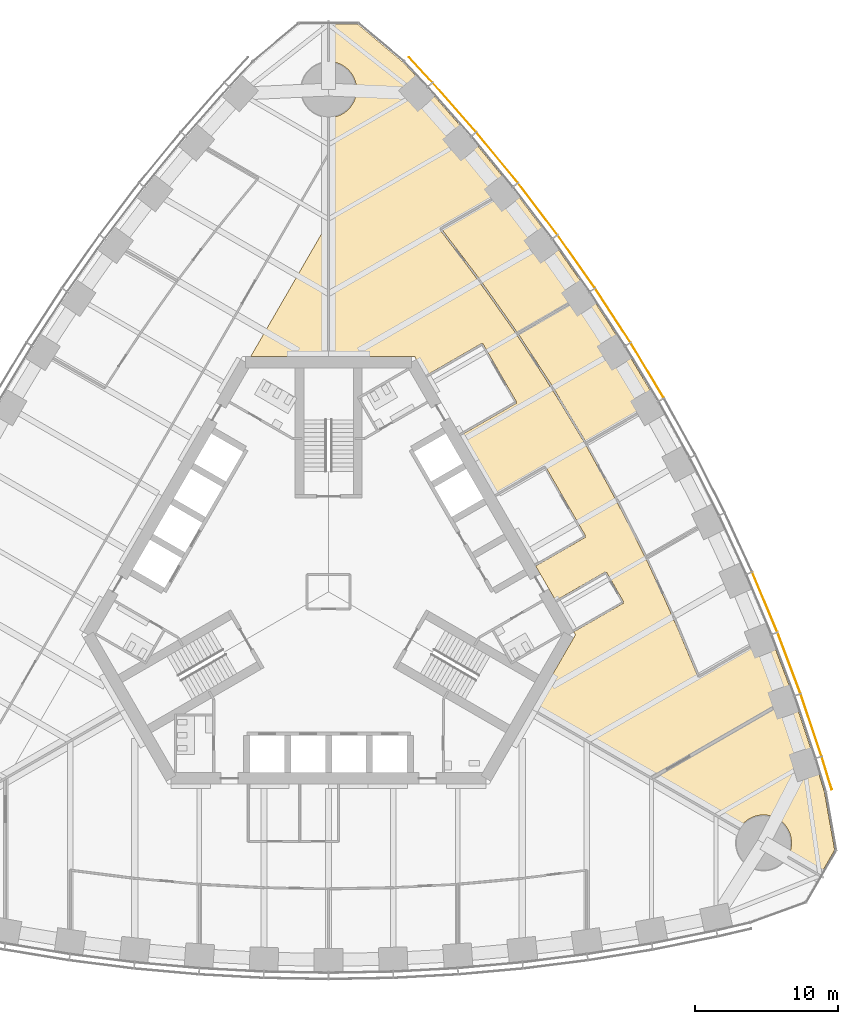
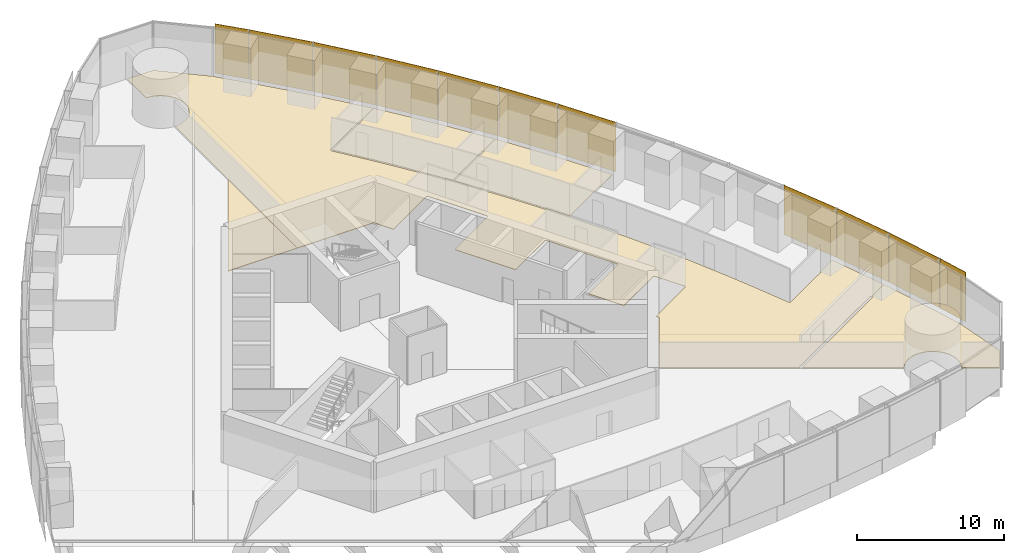
# One storey, part 16 of 18: 11 shading devices, 5 coverings.
"""IFC4 building model written with IfcOpenShell, lengths in metres."""

from ifc_helpers import new_model, si_unit, direction, frame, origin, origin_2d, place, context, subcontext, project, spatial, polyline, rectangle, outline, extrude, material, layer, layer_set, type_object, element, save


model = new_model("IFC4")

# Units and contexts
model_context = context("Model", 3, precision=1e-05, world=origin(), true_north=direction((0.0, 1.0)))
body_context = subcontext(model_context, "Body", "Model", "MODEL_VIEW")
ifc_project = project(units=[si_unit("LENGTHUNIT", "METRE"), si_unit("AREAUNIT", "SQUARE_METRE"), si_unit("VOLUMEUNIT", "CUBIC_METRE"), si_unit("PLANEANGLEUNIT", "RADIAN"), si_unit("MASSUNIT", "GRAM", prefix="KILO")], contexts=[model_context])

# Site, building, storey
site_placement = place(None, origin())
site = spatial("IfcSite", under=ifc_project, at=site_placement, CompositionType="ELEMENT")
building_placement = place(site_placement, origin())
building = spatial("IfcBuilding", under=site, at=building_placement, Name="Trefoil Bronze Tower", CompositionType="ELEMENT")
storey_placement = place(building_placement, frame((0.0, 0.0, 170.300048828125)))
storey = spatial("IfcBuildingStorey", under=building, at=storey_placement, Name="L39", CompositionType="ELEMENT", Elevation=170.300048828125)

# Shading devices
ifc_material_1 = material(Name="Perforated bronze sheet", Category="bronze")
ifc_layer_1 = layer(ifc_material_1, 0.0400390625)
ifc_layer_set_1 = layer_set([ifc_layer_1], Name="Bronze solar screen panel")
shading_device_type = type_object("IfcShadingDeviceType", Name="Bronze solar screen panel", PredefinedType="SHUTTER", material=ifc_layer_set_1)
shading_device_1_placement = place(storey_placement, frame((34.717529296875, -12.634765625, 0.0498046875), z_axis=(0.0, 0.0, 1.0), x_axis=(-0.291668676391, 0.956519410787, 0.0)))
element("IfcShadingDevice", 1, at=shading_device_1_placement, inside=storey, type_object=shading_device_type, Name="Solar screen CW-A L39 F2 bay 1", PredefinedType="SHUTTER", context=body_context, shape_type="SweptSolid", body=[
    extrude(rectangle(XDim=2.39013671875, YDim=0.0400390625, at=origin_2d()), origin(), (0.0, 0.0, 1.0), 4.10009765625),
])
shading_device_2_placement = place(storey_placement, frame((33.62890625, -9.286865234375, 0.0498046875), z_axis=(0.0, 0.0, 1.0), x_axis=(-0.318403749569, 0.947955195281, 0.0)))
element("IfcShadingDevice", 2, at=shading_device_2_placement, inside=storey, type_object=shading_device_type, Name="Solar screen CW-A L39 F2 bay 2", PredefinedType="SHUTTER", context=body_context, shape_type="SweptSolid", body=[
    extrude(rectangle(XDim=4.56103515625, YDim=0.0400390625, at=origin_2d()), origin(), (0.0, 0.0, 1.0), 4.10009765625),
])
shading_device_3_placement = place(storey_placement, frame((32.086669921875, -4.95849609375, 0.0498046875), z_axis=(0.0, 0.0, 1.0), x_axis=(-0.352919739707, 0.935653599002, 0.0)))
element("IfcShadingDevice", 3, at=shading_device_3_placement, inside=storey, type_object=shading_device_type, Name="Solar screen CW-A L39 F2 bay 3", PredefinedType="SHUTTER", context=body_context, shape_type="SweptSolid", body=[
    extrude(rectangle(XDim=4.5302734375, YDim=0.0400390625, at=origin_2d()), origin(), (0.0, 0.0, 1.0), 4.10009765625),
])
shading_device_4_placement = place(storey_placement, frame((30.3974609375, -0.715087890625, 0.0498046875), z_axis=(0.0, 0.0, 1.0), x_axis=(-0.386759234303, 0.922180727776, 0.0)))
element("IfcShadingDevice", 4, at=shading_device_4_placement, inside=storey, type_object=shading_device_type, Name="Solar screen CW-A L39 F2 bay 4", PredefinedType="SHUTTER", context=body_context, shape_type="SweptSolid", body=[
    extrude(rectangle(XDim=4.50634765625, YDim=0.0400390625, at=origin_2d()), origin(), (0.0, 0.0, 1.0), 4.10009765625),
])
shading_device_5_placement = place(storey_placement, frame((22.208740234375, 15.431396484375, 0.0498046875), z_axis=(0.0, 0.0, 1.0), x_axis=(-0.515525413486, 0.856874289526, 0.0)))
element("IfcShadingDevice", 5, at=shading_device_5_placement, inside=storey, type_object=shading_device_type, Name="Solar screen CW-A L39 F2 bay 8", PredefinedType="SHUTTER", context=body_context, shape_type="SweptSolid", body=[
    extrude(rectangle(XDim=4.470703125, YDim=0.0400390625, at=origin_2d()), origin(), (0.0, 0.0, 1.0), 4.10009765625),
])
shading_device_6_placement = place(storey_placement, frame((19.8076171875, 19.263916015625, 0.0498046875), z_axis=(0.0, 0.0, 1.0), x_axis=(-0.546088612237, 0.837727418427, 0.0)))
element("IfcShadingDevice", 6, at=shading_device_6_placement, inside=storey, type_object=shading_device_type, Name="Solar screen CW-A L39 F2 bay 9", PredefinedType="SHUTTER", context=body_context, shape_type="SweptSolid", body=[
    extrude(rectangle(XDim=4.4765625, YDim=0.0400390625, at=origin_2d()), origin(), (0.0, 0.0, 1.0), 4.10009765625),
])
shading_device_7_placement = place(storey_placement, frame((17.264892578125, 23.014404296875, 0.0498046875), z_axis=(0.0, 0.0, 1.0), x_axis=(-0.575999283275, 0.817450197667, 0.0)))
element("IfcShadingDevice", 7, at=shading_device_7_placement, inside=storey, type_object=shading_device_type, Name="Solar screen CW-A L39 F2 bay 10", PredefinedType="SHUTTER", context=body_context, shape_type="SweptSolid", body=[
    extrude(rectangle(XDim=4.48828125, YDim=0.0400390625, at=origin_2d()), origin(), (0.0, 0.0, 1.0), 4.10009765625),
])
shading_device_8_placement = place(storey_placement, frame((14.579345703125, 26.6826171875, 0.0498046875), z_axis=(0.0, 0.0, 1.0), x_axis=(-0.605252319983, 0.796033685943, 0.0)))
element("IfcShadingDevice", 8, at=shading_device_8_placement, inside=storey, type_object=shading_device_type, Name="Solar screen CW-A L39 F2 bay 11", PredefinedType="SHUTTER", context=body_context, shape_type="SweptSolid", body=[
    extrude(rectangle(XDim=4.50634765625, YDim=0.0400390625, at=origin_2d()), origin(), (0.0, 0.0, 1.0), 4.10009765625),
])
shading_device_9_placement = place(storey_placement, frame((11.7490234375, 30.26708984375, 0.0498046875), z_axis=(0.0, 0.0, 1.0), x_axis=(-0.633839916024, 0.773464259584, 0.0)))
element("IfcShadingDevice", 9, at=shading_device_9_placement, inside=storey, type_object=shading_device_type, Name="Solar screen CW-A L39 F2 bay 12", PredefinedType="SHUTTER", context=body_context, shape_type="SweptSolid", body=[
    extrude(rectangle(XDim=4.5302734375, YDim=0.0400390625, at=origin_2d()), origin(), (0.0, 0.0, 1.0), 4.10009765625),
])
shading_device_10_placement = place(storey_placement, frame((8.77197265625, 33.766845703125, 0.0498046875), z_axis=(0.0, 0.0, 1.0), x_axis=(-0.661751405978, 0.749723333428, 0.0)))
element("IfcShadingDevice", 10, at=shading_device_10_placement, inside=storey, type_object=shading_device_type, Name="Solar screen CW-A L39 F2 bay 13", PredefinedType="SHUTTER", context=body_context, shape_type="SweptSolid", body=[
    extrude(rectangle(XDim=4.56103515625, YDim=0.0400390625, at=origin_2d()), origin(), (0.0, 0.0, 1.0), 4.10009765625),
])
shading_device_11_placement = place(storey_placement, frame((6.416748046875, 36.383544921875, 0.0498046875), z_axis=(0.0, 0.0, 1.0), x_axis=(-0.682535770759, 0.730852188636, 0.0)))
element("IfcShadingDevice", 11, at=shading_device_11_placement, inside=storey, type_object=shading_device_type, Name="Solar screen CW-A L39 F2 bay 14", PredefinedType="SHUTTER", context=body_context, shape_type="SweptSolid", body=[
    extrude(rectangle(XDim=2.39013671875, YDim=0.0400390625, at=origin_2d()), origin(), (0.0, 0.0, 1.0), 4.10009765625),
])

# Coverings
ifc_material_2 = material(Name="Raised access floor panels", Category="steel")
ifc_layer_2 = layer(ifc_material_2, 0.050048828125)
ifc_layer_set_2 = layer_set([ifc_layer_2], Name="Raised access floor 150")
covering_type = type_object("IfcCoveringType", Name="Raised access floor 150", PredefinedType="FLOORING", material=ifc_layer_set_2)
covering_1_placement = place(storey_placement, frame((0.0, 0.0, 0.099853515625)))
element("IfcCovering", 12, at=covering_1_placement, inside=storey, type_object=covering_type, Name="Raised floor L39 Boardroom F2", PredefinedType="FLOORING", context=body_context, shape_type="SweptSolid", body=[
    extrude(outline(polyline([(22.60986328125, -13.04248046875), (31.001220703125, -8.19775390625), (30.951171875, -8.111083984375), (32.385986328125, -7.28271484375), (33.847900390625, -11.634765625), (34.5537109375, -13.94970703125), (35.2666015625, -17.99169921875), (34.247802734375, -19.755859375), (32.006103515625, -18.462646484375), (32.030517578125, -18.419189453125), (32.07373046875, -18.333740234375), (32.112548828125, -18.24609375), (32.14697265625, -18.156982421875), (32.177001953125, -18.066162109375), (32.202392578125, -17.973876953125), (32.223388671875, -17.88037109375), (32.23974609375, -17.7861328125), (32.25146484375, -17.691162109375), (32.258544921875, -17.595703125), (32.260986328125, -17.5), (32.258544921875, -17.404296875), (32.25146484375, -17.308837890625), (32.23974609375, -17.2138671875), (32.223388671875, -17.11962890625), (32.202392578125, -17.026123046875), (32.177001953125, -16.933837890625), (32.14697265625, -16.843017578125), (32.112548828125, -16.75390625), (32.07373046875, -16.666259765625), (32.030517578125, -16.580810546875), (31.9833984375, -16.49755859375), (31.932373046875, -16.41650390625), (31.877197265625, -16.33837890625), (31.818359375, -16.262939453125), (31.755615234375, -16.1904296875), (31.689697265625, -16.12109375), (31.620361328125, -16.05517578125), (31.548095703125, -15.99267578125), (31.472412109375, -15.93359375), (31.394287109375, -15.878662109375), (31.3134765625, -15.827392578125), (31.22998046875, -15.7802734375), (31.14453125, -15.7373046875), (31.05712890625, -15.698486328125), (30.9677734375, -15.6640625), (30.876953125, -15.634033203125), (30.78466796875, -15.6083984375), (30.69140625, -15.58740234375), (30.596923828125, -15.571044921875), (30.501953125, -15.559326171875), (30.406494140625, -15.55224609375), (30.310791015625, -15.550048828125), (30.215087890625, -15.55224609375), (30.119873046875, -15.559326171875), (30.02490234375, -15.571044921875), (29.930419921875, -15.58740234375), (29.837158203125, -15.6083984375), (29.744873046875, -15.634033203125), (29.654052734375, -15.6640625), (29.564697265625, -15.698486328125), (29.477294921875, -15.7373046875), (29.3916015625, -15.7802734375), (29.308349609375, -15.827392578125), (29.2275390625, -15.878662109375), (29.1494140625, -15.93359375), (29.07373046875, -15.99267578125), (29.001220703125, -16.05517578125), (28.931884765625, -16.12109375), (28.865966796875, -16.1904296875), (28.803466796875, -16.262939453125), (28.74462890625, -16.33837890625), (28.689453125, -16.41650390625), (28.628662109375, -16.514404296875), (22.60986328125, -13.04248046875)])), origin(), (0.0, 0.0, 1.0), 0.050048828125),
])
covering_2_placement = place(storey_placement, frame((0.0, 0.0, 0.099853515625)))
element("IfcCovering", 13, at=covering_2_placement, inside=storey, type_object=covering_type, Name="Raised floor L39 Executive office F2", PredefinedType="FLOORING", context=body_context, shape_type="SweptSolid", body=[
    extrude(outline(polyline([(18.124755859375, 20.856689453125), (16.709716796875, 20.03955078125), (16.6796875, 20.091552734375), (13.16259765625, 18.06103515625), (10.591796875, 21.709716796875), (10.54248046875, 21.67529296875), (10.59033203125, 21.711669921875), (7.885986328125, 25.268310546875), (11.38037109375, 27.28564453125), (11.350341796875, 27.337646484375), (12.776611328125, 28.1611328125), (15.522216796875, 24.55029296875), (18.124755859375, 20.856689453125)])), origin(), (0.0, 0.0, 1.0), 0.050048828125),
])
covering_3_placement = place(storey_placement, frame((0.0, 0.0, 0.099853515625)))
element("IfcCovering", 14, at=covering_3_placement, inside=storey, type_object=covering_type, Name="Raised floor L39 Executive office F2", PredefinedType="FLOORING", context=body_context, shape_type="SweptSolid", body=[
    extrude(outline(polyline([(20.585693359375, 17.081298828125), (22.906005859375, 13.224853515625), (21.494384765625, 12.409912109375), (21.464599609375, 12.4619140625), (17.947509765625, 10.431396484375), (15.65771484375, 14.2373046875), (15.606201171875, 14.206298828125), (15.656494140625, 14.2392578125), (13.22998046875, 17.96142578125), (16.739501953125, 19.987548828125), (16.709716796875, 20.03955078125), (18.124755859375, 20.856689453125), (20.585693359375, 17.081298828125)])), origin(), (0.0, 0.0, 1.0), 0.050048828125),
])
covering_4_placement = place(storey_placement, frame((0.0, 0.0, 0.099853515625)))
element("IfcCovering", 15, at=covering_4_placement, inside=storey, type_object=covering_type, Name="Raised floor L39 PA area F2", PredefinedType="FLOORING", context=body_context, shape_type="SweptSolid", body=[
    extrude(outline(polyline([(9.885986328125, 31.6884765625), (12.776611328125, 28.1611328125), (11.350341796875, 27.337646484375), (11.3203125, 27.3896484375), (7.76708984375, 25.338134765625), (7.797119140625, 25.2861328125), (7.749267578125, 25.25), (9.75634765625, 22.6103515625), (11.193603515625, 20.64697265625), (13.095458984375, 17.947998046875), (14.912841796875, 15.16015625), (16.1611328125, 13.167724609375), (17.87451171875, 10.31982421875), (19.484130859375, 7.412109375), (20.58544921875, 5.334716796875), (22.09130859375, 2.3671875), (23.477783203125, -0.62939453125), (24.459228515625, -2.85595703125), (25.74169921875, -5.913818359375), (25.797119140625, -5.890625), (25.8271484375, -5.942626953125), (29.38037109375, -3.89111328125), (29.350341796875, -3.839111328125), (30.776611328125, -3.015625), (32.385986328125, -7.28271484375), (30.951171875, -8.111083984375), (30.901123046875, -8.0244140625), (22.5029296875, -12.873291015625), (22.552978515625, -12.959716796875), (22.509765625, -12.98486328125), (14.205810546875, -8.194580078125), (17.205078125, -3.0), (17.084716796875, -2.79150390625), (20.548828125, -0.79150390625), (20.518798828125, -0.73974609375), (20.57080078125, -0.709716796875), (19.370849609375, 1.368896484375), (19.31884765625, 1.3388671875), (19.288818359375, 1.390625), (15.82470703125, -0.609375), (14.434814453125, 1.79833984375), (17.898681640625, 3.79833984375), (17.868896484375, 3.850341796875), (17.9208984375, 3.88037109375), (15.120849609375, 8.72998046875), (15.06884765625, 8.699951171875), (15.038818359375, 8.751953125), (11.57470703125, 6.751953125), (9.184814453125, 10.8916015625), (13.081787109375, 13.1416015625), (13.052001953125, 13.193603515625), (13.103759765625, 13.223388671875), (10.75390625, 17.293701171875), (10.701904296875, 17.263916015625), (10.671875, 17.31591796875), (6.774658203125, 15.06591796875), (6.00439453125, 16.39990234375), (0.006103515625, 16.39990234375), (0.012451171875, 33.05029296875), (0.095703125, 33.05224609375), (0.191162109375, 33.059326171875), (0.2861328125, 33.071044921875), (0.38037109375, 33.08740234375), (0.473876953125, 33.1083984375), (0.566162109375, 33.134033203125), (0.656982421875, 33.1640625), (0.74609375, 33.198486328125), (0.833740234375, 33.2373046875), (0.919189453125, 33.2802734375), (1.00244140625, 33.327392578125), (1.08349609375, 33.378662109375), (1.16162109375, 33.43359375), (1.237060546875, 33.49267578125), (1.3095703125, 33.55517578125), (1.37890625, 33.62109375), (1.44482421875, 33.6904296875), (1.50732421875, 33.762939453125), (1.56640625, 33.83837890625), (1.621337890625, 33.91650390625), (1.672607421875, 33.99755859375), (1.7197265625, 34.080810546875), (1.7626953125, 34.166259765625), (1.801513671875, 34.25390625), (1.8359375, 34.343017578125), (1.865966796875, 34.433837890625), (1.8916015625, 34.526123046875), (1.91259765625, 34.61962890625), (1.928955078125, 34.7138671875), (1.940673828125, 34.808837890625), (1.94775390625, 34.904296875), (1.949951171875, 35.0), (1.94775390625, 35.095703125), (1.940673828125, 35.191162109375), (1.928955078125, 35.2861328125), (1.91259765625, 35.38037109375), (1.8916015625, 35.473876953125), (1.865966796875, 35.566162109375), (1.8359375, 35.656982421875), (1.801513671875, 35.74609375), (1.7626953125, 35.833740234375), (1.7197265625, 35.919189453125), (1.672607421875, 36.00244140625), (1.621337890625, 36.08349609375), (1.56640625, 36.16162109375), (1.50732421875, 36.237060546875), (1.44482421875, 36.3095703125), (1.37890625, 36.37890625), (1.3095703125, 36.44482421875), (1.237060546875, 36.50732421875), (1.16162109375, 36.56640625), (1.08349609375, 36.621337890625), (1.00244140625, 36.672607421875), (0.919189453125, 36.7197265625), (0.833740234375, 36.7626953125), (0.74609375, 36.801513671875), (0.656982421875, 36.8359375), (0.566162109375, 36.865966796875), (0.473876953125, 36.8916015625), (0.38037109375, 36.91259765625), (0.2861328125, 36.928955078125), (0.191162109375, 36.940673828125), (0.095703125, 36.94775390625), (0.013916015625, 36.94970703125), (0.014892578125, 39.53759765625), (2.052001953125, 39.53759765625), (5.1962890625, 36.8994140625), (6.847900390625, 35.130615234375), (9.885986328125, 31.6884765625)])), origin(), (0.0, 0.0, 1.0), 0.050048828125),
])
covering_5_placement = place(storey_placement, frame((0.0, 0.0, 0.099853515625)))
element("IfcCovering", 16, at=covering_5_placement, inside=storey, type_object=covering_type, Name="Raised floor L39 PA area F3", PredefinedType="FLOORING", context=body_context, shape_type="SweptSolid", body=[
    extrude(outline(polyline([(-0.009765625, 25.783203125), (-0.006103515625, 16.39990234375), (-5.427001953125, 16.39990234375), (-0.009765625, 25.783203125)])), origin(), (0.0, 0.0, 1.0), 0.050048828125),
])

save(model, "model.ifc")
